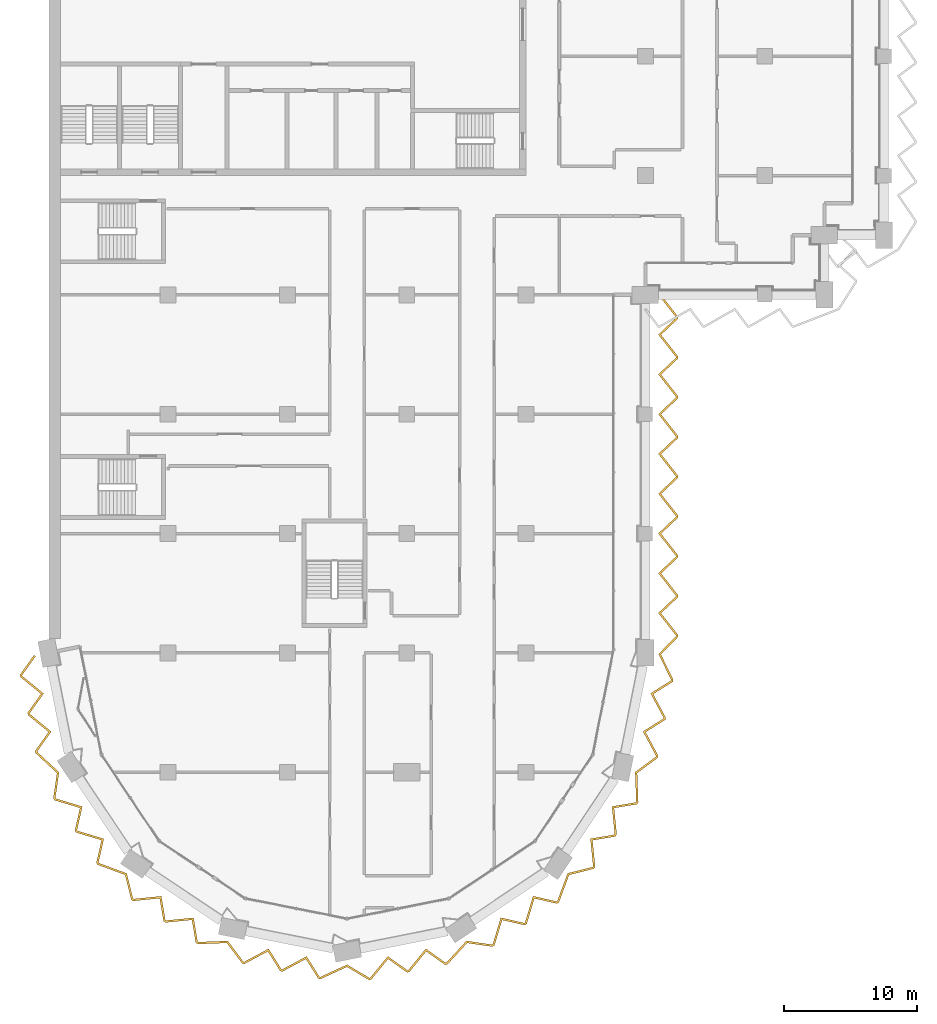
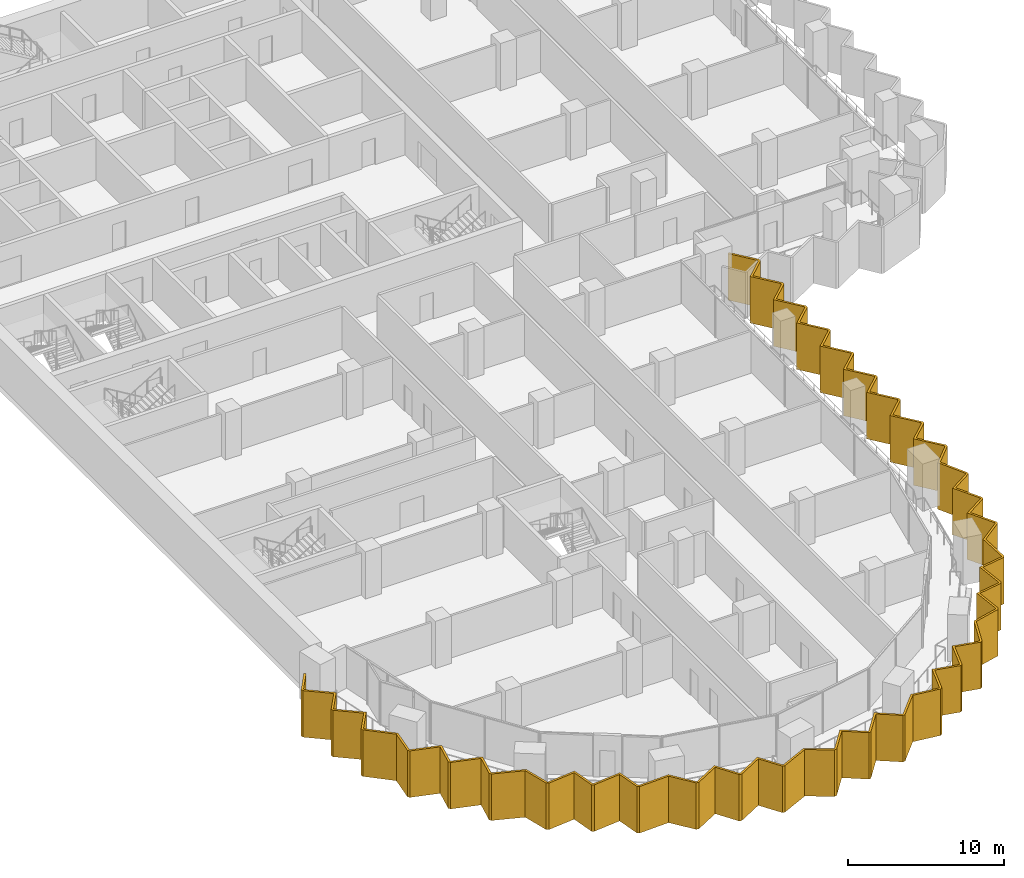
# One storey, part 19 of 23: 1 shading device.
"""IFC4 building model written with IfcOpenShell, lengths in metres."""

from ifc_helpers import new_model, si_unit, direction, frame, origin, place, context, subcontext, project, spatial, polyline, outline, extrude, material, layer, layer_set, type_object, element, save


model = new_model("IFC4")

# Units and contexts
model_context = context("Model", 3, precision=1e-05, world=origin(), true_north=direction((0.0, 1.0)))
body_context = subcontext(model_context, "Body", "Model", "MODEL_VIEW")
ifc_project = project(units=[si_unit("LENGTHUNIT", "METRE"), si_unit("AREAUNIT", "SQUARE_METRE"), si_unit("VOLUMEUNIT", "CUBIC_METRE"), si_unit("PLANEANGLEUNIT", "RADIAN"), si_unit("MASSUNIT", "GRAM", prefix="KILO")], contexts=[model_context])

# Site, building, storey
site_placement = place(None, origin())
site = spatial("IfcSite", under=ifc_project, at=site_placement, CompositionType="ELEMENT")
building_placement = place(site_placement, origin())
building = spatial("IfcBuilding", under=site, at=building_placement, Name="Hunhe Ridgeline Campus", CompositionType="ELEMENT")
storey_placement = place(building_placement, frame((0.0, 0.0, 167.10009765625)))
storey = spatial("IfcBuildingStorey", under=building, at=storey_placement, Name="L42", CompositionType="ELEMENT", Elevation=167.10009765625)

# Shading device
ifc_material = material(Name="Concrete C50", Category="concrete")
ifc_layer = layer(ifc_material, 0.14990234375)
ifc_layer_set = layer_set([ifc_layer], Name="Sawtooth concrete fin 150 Concrete C50")
shading_device_type = type_object("IfcShadingDeviceType", Name="Sawtooth concrete fin 150 Concrete C50", PredefinedType="USERDEFINED", material=ifc_layer_set)
shading_device_placement = place(storey_placement, frame((0.0, 0.0, -0.9501953125)))
element("IfcShadingDevice", 1, at=shading_device_placement, inside=storey, type_object=shading_device_type, Name="Concrete fin screen 1", ObjectType="FIN", PredefinedType="USERDEFINED", context=body_context, shape_type="SweptSolid", body=[
    extrude(outline(polyline([(-0.9931640625, 26.746826171875), (-1.115478515625, 26.833740234375), (-2.169921875, 25.35107421875), (-2.135009765625, 25.17529296875), (-0.585205078125, 23.906494140625), (-1.59912109375, 22.48095703125), (-1.564208984375, 22.30517578125), (-0.01416015625, 21.036376953125), (-1.0283203125, 19.61083984375), (-0.99365234375, 19.437744140625), (0.6201171875, 17.94189453125), (0.3408203125, 16.032958984375), (0.4384765625, 15.886962890625), (2.35595703125, 15.3076171875), (1.964599609375, 13.602783203125), (2.064208984375, 13.45361328125), (3.981689453125, 12.87451171875), (3.59033203125, 11.16943359375), (3.6884765625, 11.022705078125), (5.751953125, 10.258544921875), (6.224365234375, 8.387939453125), (6.37060546875, 8.290283203125), (8.36376953125, 8.48876953125), (8.65478515625, 6.763916015625), (8.8037109375, 6.664306640625), (10.796875, 6.863037109375), (11.087890625, 5.13818359375), (11.23486328125, 5.0400390625), (13.43359375, 5.12353515625), (14.5859375, 3.576171875), (14.75830078125, 3.5419921875), (16.523681640625, 4.48828125), (17.45263671875, 3.006103515625), (17.62841796875, 2.970947265625), (19.393798828125, 3.917236328125), (20.32275390625, 2.43505859375), (20.49609375, 2.400634765625), (22.495361328125, 3.3193359375), (24.15234375, 2.33056640625), (24.32470703125, 2.364990234375), (25.593505859375, 3.914794921875), (27.01904296875, 2.90087890625), (27.19482421875, 2.935791015625), (28.463623046875, 4.48583984375), (29.88916015625, 3.4716796875), (30.062255859375, 3.50634765625), (31.55810546875, 5.1201171875), (33.467041015625, 4.8408203125), (33.613037109375, 4.9384765625), (34.1923828125, 6.85595703125), (35.897216796875, 6.464599609375), (36.04638671875, 6.564208984375), (36.62548828125, 8.481689453125), (38.33056640625, 8.09033203125), (38.477294921875, 8.1884765625), (39.241455078125, 10.251953125), (41.112060546875, 10.724365234375), (41.209716796875, 10.87060546875), (41.01123046875, 12.86376953125), (42.736083984375, 13.15478515625), (42.835693359375, 13.3037109375), (42.636962890625, 15.296875), (44.36181640625, 15.587890625), (44.4599609375, 15.73486328125), (44.37646484375, 17.93359375), (45.923828125, 19.0859375), (45.9580078125, 19.25830078125), (45.01171875, 21.023681640625), (46.493896484375, 21.95263671875), (46.529052734375, 22.12841796875), (45.582763671875, 23.893798828125), (47.06494140625, 24.82275390625), (47.099609375, 24.997314453125), (46.165771484375, 26.8798828125), (47.449951171875, 28.195556640625), (47.449951171875, 28.3720703125), (46.17626953125, 29.992431640625), (47.449951171875, 31.19384765625), (47.449951171875, 31.3720703125), (46.17626953125, 32.992431640625), (47.449951171875, 34.19384765625), (47.449951171875, 34.3720703125), (46.17626953125, 35.992431640625), (47.449951171875, 37.19384765625), (47.449951171875, 37.3720703125), (46.17626953125, 38.992431640625), (47.449951171875, 40.19384765625), (47.449951171875, 40.3720703125), (46.17626953125, 41.992431640625), (47.449951171875, 43.19384765625), (47.449951171875, 43.3720703125), (46.17626953125, 44.992431640625), (47.449951171875, 46.19384765625), (47.449951171875, 46.3720703125), (46.17626953125, 47.992431640625), (47.449951171875, 49.19384765625), (47.449951171875, 49.3720703125), (46.17626953125, 50.992431640625), (47.449951171875, 52.19384765625), (47.449951171875, 52.3720703125), (46.134033203125, 54.04638671875), (46.01611328125, 53.95361328125), (47.300048828125, 52.320068359375), (47.300048828125, 52.258544921875), (45.9736328125, 51.007568359375), (47.300048828125, 49.320068359375), (47.300048828125, 49.258544921875), (45.9736328125, 48.007568359375), (47.300048828125, 46.320068359375), (47.300048828125, 46.258544921875), (45.9736328125, 45.007568359375), (47.300048828125, 43.320068359375), (47.300048828125, 43.258544921875), (45.9736328125, 42.007568359375), (47.300048828125, 40.320068359375), (47.300048828125, 40.258544921875), (45.9736328125, 39.007568359375), (47.300048828125, 37.320068359375), (47.300048828125, 37.258544921875), (45.9736328125, 36.007568359375), (47.300048828125, 34.320068359375), (47.300048828125, 34.258544921875), (45.9736328125, 33.007568359375), (47.300048828125, 31.320068359375), (47.300048828125, 31.258544921875), (45.9736328125, 30.007568359375), (47.300048828125, 28.320068359375), (47.300048828125, 28.256591796875), (45.984130859375, 26.908447265625), (46.942626953125, 24.976318359375), (46.930419921875, 24.91552734375), (45.38427734375, 23.946533203125), (46.371337890625, 22.10498046875), (46.359619140625, 22.04541015625), (44.813232421875, 21.076416015625), (45.800537109375, 19.23486328125), (45.787841796875, 19.171875), (44.223388671875, 18.0068359375), (44.308349609375, 15.777587890625), (44.27294921875, 15.72509765625), (42.4736328125, 15.42138671875), (42.680908203125, 13.34228515625), (42.647216796875, 13.291748046875), (40.847900390625, 12.98828125), (41.05517578125, 10.9091796875), (41.01953125, 10.855712890625), (39.12841796875, 10.378173828125), (38.353515625, 8.286376953125), (38.301025390625, 8.251220703125), (36.5224609375, 8.6591796875), (35.918212890625, 6.6591796875), (35.86767578125, 6.625244140625), (34.08935546875, 7.033447265625), (33.485107421875, 5.033203125), (33.431640625, 4.99755859375), (31.501708984375, 5.280029296875), (29.9853515625, 3.643798828125), (29.92333984375, 3.631591796875), (28.436279296875, 4.689208984375), (27.11279296875, 3.072509765625), (27.05322265625, 3.060546875), (25.566162109375, 4.118408203125), (24.24267578125, 2.50146484375), (24.1796875, 2.489013671875), (22.504638671875, 3.488525390625), (20.4775390625, 2.55712890625), (20.41552734375, 2.569580078125), (19.446533203125, 4.11572265625), (17.60498046875, 3.128662109375), (17.54541015625, 3.140380859375), (16.576416015625, 4.686767578125), (14.73486328125, 3.699462890625), (14.671875, 3.712158203125), (13.5068359375, 5.276611328125), (11.277587890625, 5.191650390625), (11.22509765625, 5.22705078125), (10.92138671875, 7.0263671875), (8.84228515625, 6.819091796875), (8.791748046875, 6.852783203125), (8.48828125, 8.652099609375), (6.4091796875, 8.44482421875), (6.355712890625, 8.48046875), (5.878173828125, 10.37158203125), (3.786376953125, 11.146484375), (3.751220703125, 11.198974609375), (4.1591796875, 12.9775390625), (2.1591796875, 13.581787109375), (2.125244140625, 13.63232421875), (2.533447265625, 15.41064453125), (0.533203125, 16.014892578125), (0.49755859375, 16.068359375), (0.780029296875, 17.998291015625), (-0.856201171875, 19.5146484375), (-0.868408203125, 19.57666015625), (0.189208984375, 21.063720703125), (-1.427490234375, 22.38720703125), (-1.439453125, 22.44677734375), (-0.381591796875, 23.933837890625), (-1.99853515625, 25.25732421875), (-2.01025390625, 25.31689453125), (-0.9931640625, 26.746826171875)])), origin(), (0.0, 0.0, 1.0), 3.650146484375),
])

save(model, "model.ifc")
